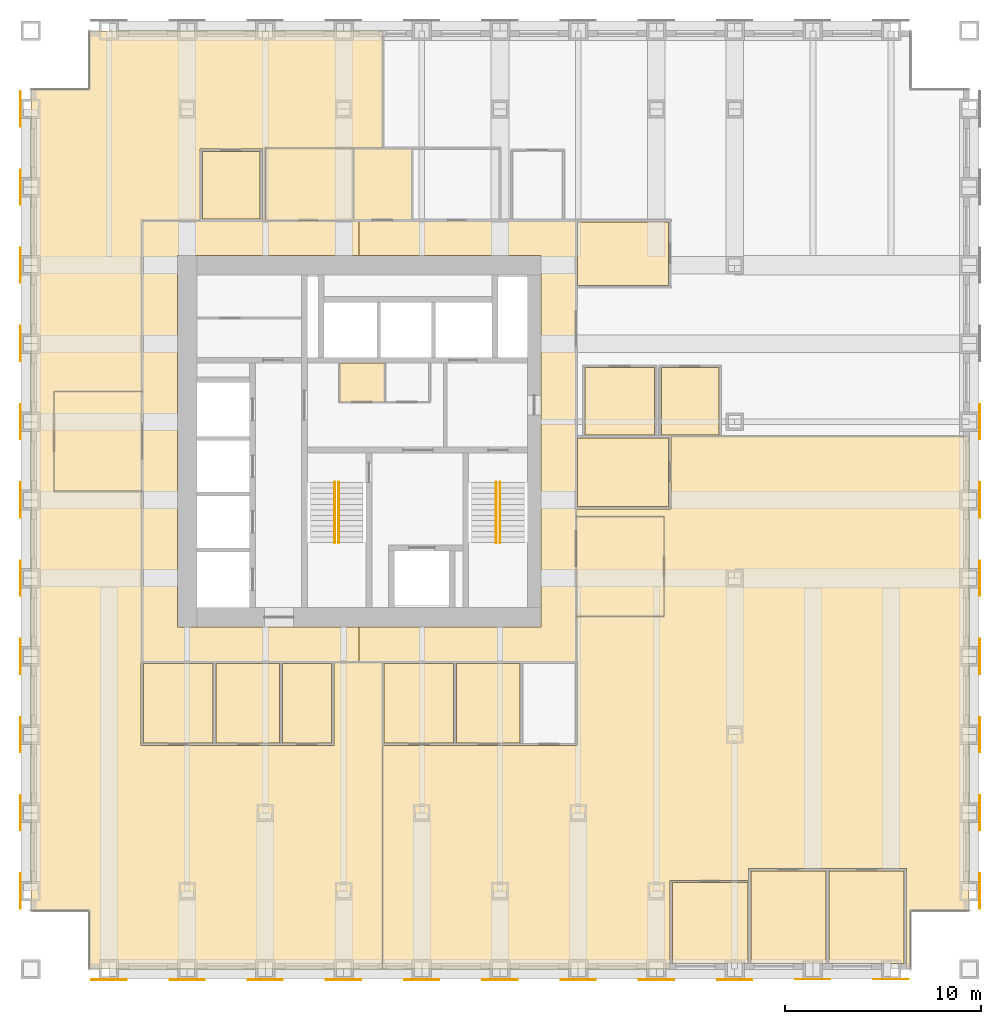
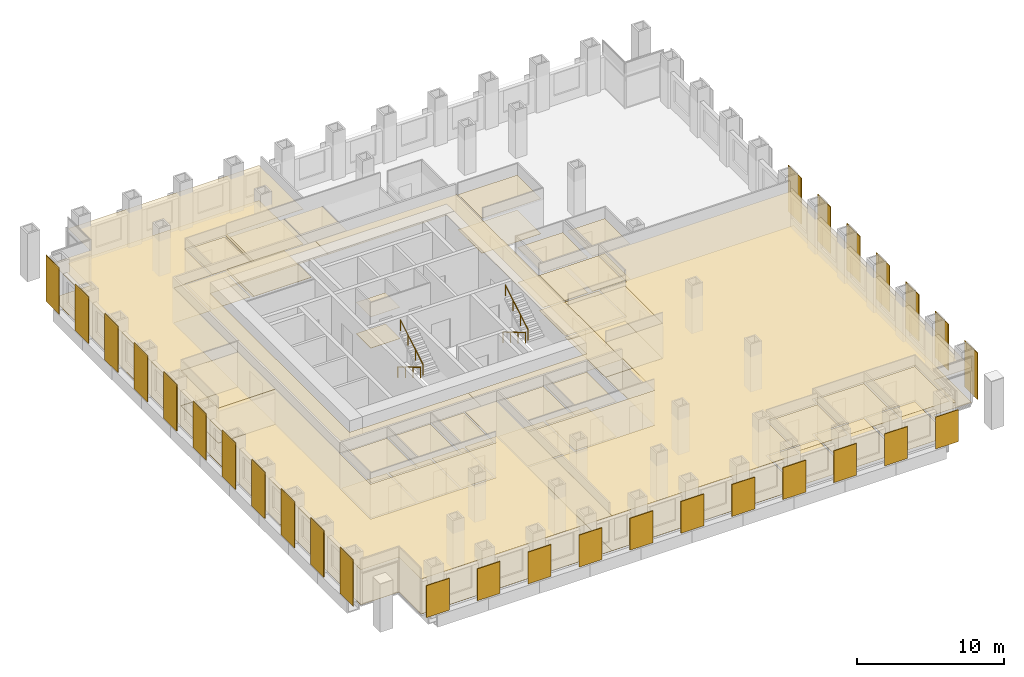
# One storey, part 16 of 17: 41 coverings, 29 shading devices, 4 railings.
"""IFC4 building model written with IfcOpenShell, lengths in metres."""

from ifc_helpers import new_model, si_unit, direction, frame, origin, origin_2d, place, context, subcontext, project, spatial, polyline, rectangle, circle, outline, extrude, material, layer, layer_set, type_object, element, save


model = new_model("IFC4")

# Units and contexts
model_context = context("Model", 3, precision=1e-05, world=origin(), true_north=direction((0.0, 1.0)))
body_context = subcontext(model_context, "Body", "Model", "MODEL_VIEW")
ifc_project = project(units=[si_unit("LENGTHUNIT", "METRE"), si_unit("AREAUNIT", "SQUARE_METRE"), si_unit("VOLUMEUNIT", "CUBIC_METRE"), si_unit("PLANEANGLEUNIT", "RADIAN"), si_unit("MASSUNIT", "GRAM", prefix="KILO")], contexts=[model_context])

# Site, building, storey
site_placement = place(None, origin())
site = spatial("IfcSite", under=ifc_project, at=site_placement, CompositionType="ELEMENT")
building_placement = place(site_placement, origin())
building = spatial("IfcBuilding", under=site, at=building_placement, Name="Rimbunsela Tower", CompositionType="ELEMENT")
storey_placement = place(building_placement, frame((0.0, 0.0, 101.39990234375)))
storey = spatial("IfcBuildingStorey", under=building, at=storey_placement, Name="L24", CompositionType="ELEMENT", Elevation=101.39990234375)

# Coverings
ifc_material_1 = material(Name="Nylon carpet tile", Category="textile")
ifc_layer_1 = layer(ifc_material_1, 0.010009765625)
ifc_layer_set_1 = layer_set([ifc_layer_1], Name="Carpet tile 10")
covering_type_1 = type_object("IfcCoveringType", Name="Carpet tile 10", PredefinedType="FLOORING", material=ifc_layer_set_1)
covering_1_placement = place(storey_placement, origin())
element("IfcCovering", 1, at=covering_1_placement, inside=storey, type_object=covering_type_1, Name="Floor finish Open office", PredefinedType="FLOORING", context=body_context, shape_type="SweptSolid", body=[
    extrude(outline(polyline([(19.449951171875, 11.449951171875), (22.75, 11.449951171875), (22.85009765625, 11.449951171875), (25.5, 11.449951171875), (25.5, 15.699951171875), (27.9990234375, 15.699951171875), (27.9990234375, 0.0), (15.699951171875, 0.0), (13.0, 0.0), (13.0, 3.0), (10.0, 3.0), (10.0, 45.0), (13.0, 45.0), (13.0, 48.0), (15.699951171875, 48.0), (27.9990234375, 48.0), (27.9990234375, 42.0), (22.0, 42.0), (22.0, 38.300048828125), (21.85009765625, 38.300048828125), (21.85009765625, 41.949951171875), (18.64990234375, 41.949951171875), (18.64990234375, 38.300048828125), (15.699951171875, 38.300048828125), (15.699951171875, 29.550048828125), (11.199951171875, 29.550048828125), (11.199951171875, 24.449951171875), (15.699951171875, 24.449951171875), (15.699951171875, 15.75), (15.64990234375, 15.75), (15.64990234375, 11.449951171875), (15.699951171875, 11.449951171875), (19.35009765625, 11.449951171875), (19.449951171875, 11.449951171875)])), origin(), (0.0, 0.0, 1.0), 0.010009765625),
])
covering_2_placement = place(storey_placement, origin())
element("IfcCovering", 2, at=covering_2_placement, inside=storey, type_object=covering_type_1, Name="Floor finish Open office", PredefinedType="FLOORING", context=body_context, shape_type="SweptSolid", body=[
    extrude(outline(polyline([(28.0009765625, 11.449951171875), (31.65087890625, 11.449951171875), (31.7509765625, 11.449951171875), (35.051025390625, 11.449951171875), (35.15087890625, 11.449951171875), (37.89990234375, 11.449951171875), (37.949951171875, 11.449951171875), (37.949951171875, 15.75), (37.89990234375, 15.75), (37.89990234375, 18.049072265625), (42.39990234375, 18.049072265625), (42.39990234375, 23.14892578125), (37.89990234375, 23.14892578125), (37.89990234375, 23.549072265625), (42.75, 23.549072265625), (42.75, 27.2490234375), (58.0, 27.2490234375), (58.0, 3.0), (55.0, 3.0), (55.0, 0.0), (54.800048828125, 0.0), (54.800048828125, 5.14990234375), (50.800048828125, 5.14990234375), (50.699951171875, 5.14990234375), (46.699951171875, 5.14990234375), (46.699951171875, 4.550048828125), (42.699951171875, 4.550048828125), (42.699951171875, 0.0), (37.89990234375, 0.0), (28.0009765625, 0.0), (28.0009765625, 11.449951171875)])), origin(), (0.0, 0.0, 1.0), 0.010009765625),
])
covering_3_placement = place(storey_placement, origin())
element("IfcCovering", 3, at=covering_3_placement, inside=storey, type_object=covering_type_1, Name="Floor finish Reception", PredefinedType="FLOORING", context=body_context, shape_type="SweptSolid", body=[
    extrude(outline(polyline([(15.699951171875, 24.449951171875), (15.699951171875, 29.550048828125), (11.199951171875, 29.550048828125), (11.199951171875, 24.449951171875), (15.699951171875, 24.449951171875)])), origin(), (0.0, 0.0, 1.0), 0.010009765625),
])
covering_4_placement = place(storey_placement, origin())
element("IfcCovering", 4, at=covering_4_placement, inside=storey, type_object=covering_type_1, Name="Floor finish Reception", PredefinedType="FLOORING", context=body_context, shape_type="SweptSolid", body=[
    extrude(outline(polyline([(42.39990234375, 18.049072265625), (42.39990234375, 23.14892578125), (37.89990234375, 23.14892578125), (37.89990234375, 18.049072265625), (42.39990234375, 18.049072265625)])), origin(), (0.0, 0.0, 1.0), 0.010009765625),
])
covering_5_placement = place(storey_placement, origin())
element("IfcCovering", 5, at=covering_5_placement, inside=storey, type_object=covering_type_1, Name="Floor finish Executive office", PredefinedType="FLOORING", context=body_context, shape_type="SweptSolid", body=[
    extrude(outline(polyline([(46.675048828125, 0.300048828125), (46.675048828125, 4.425048828125), (42.824951171875, 4.425048828125), (42.824951171875, 0.300048828125), (46.675048828125, 0.300048828125)])), origin(), (0.0, 0.0, 1.0), 0.010009765625),
])
covering_6_placement = place(storey_placement, origin())
element("IfcCovering", 6, at=covering_6_placement, inside=storey, type_object=covering_type_1, Name="Floor finish Meeting room", PredefinedType="FLOORING", context=body_context, shape_type="SweptSolid", body=[
    extrude(outline(polyline([(50.675048828125, 0.300048828125), (50.675048828125, 5.02490234375), (46.824951171875, 5.02490234375), (46.824951171875, 0.300048828125), (50.675048828125, 0.300048828125)])), origin(), (0.0, 0.0, 1.0), 0.010009765625),
])
covering_7_placement = place(storey_placement, origin())
element("IfcCovering", 7, at=covering_7_placement, inside=storey, type_object=covering_type_1, Name="Floor finish Meeting room", PredefinedType="FLOORING", context=body_context, shape_type="SweptSolid", body=[
    extrude(outline(polyline([(54.675048828125, 0.300048828125), (54.675048828125, 5.02490234375), (50.824951171875, 5.02490234375), (50.824951171875, 0.300048828125), (54.675048828125, 0.300048828125)])), origin(), (0.0, 0.0, 1.0), 0.010009765625),
])
covering_8_placement = place(storey_placement, origin())
element("IfcCovering", 8, at=covering_8_placement, inside=storey, type_object=covering_type_1, Name="Floor finish Meeting room", PredefinedType="FLOORING", context=body_context, shape_type="SweptSolid", body=[
    extrude(outline(polyline([(19.324951171875, 11.574951171875), (19.324951171875, 15.625), (15.77490234375, 15.625), (15.77490234375, 11.574951171875), (19.324951171875, 11.574951171875)])), origin(), (0.0, 0.0, 1.0), 0.010009765625),
])
covering_9_placement = place(storey_placement, origin())
element("IfcCovering", 9, at=covering_9_placement, inside=storey, type_object=covering_type_1, Name="Floor finish Pantry", PredefinedType="FLOORING", context=body_context, shape_type="SweptSolid", body=[
    extrude(outline(polyline([(22.72509765625, 11.574951171875), (22.72509765625, 15.625), (19.47509765625, 15.625), (19.47509765625, 11.574951171875), (22.72509765625, 11.574951171875)])), origin(), (0.0, 0.0, 1.0), 0.010009765625),
])
covering_10_placement = place(storey_placement, origin())
element("IfcCovering", 10, at=covering_10_placement, inside=storey, type_object=covering_type_1, Name="Floor finish Print and copy room", PredefinedType="FLOORING", context=body_context, shape_type="SweptSolid", body=[
    extrude(outline(polyline([(25.375, 11.574951171875), (25.375, 15.625), (22.875, 15.625), (22.875, 11.574951171875), (25.375, 11.574951171875)])), origin(), (0.0, 0.0, 1.0), 0.010009765625),
])
covering_11_placement = place(storey_placement, origin())
element("IfcCovering", 11, at=covering_11_placement, inside=storey, type_object=covering_type_1, Name="Floor finish Meeting room", PredefinedType="FLOORING", context=body_context, shape_type="SweptSolid", body=[
    extrude(outline(polyline([(31.6259765625, 11.574951171875), (31.6259765625, 15.625), (28.075927734375, 15.625), (28.075927734375, 11.574951171875), (31.6259765625, 11.574951171875)])), origin(), (0.0, 0.0, 1.0), 0.010009765625),
])
covering_12_placement = place(storey_placement, origin())
element("IfcCovering", 12, at=covering_12_placement, inside=storey, type_object=covering_type_1, Name="Floor finish Pantry", PredefinedType="FLOORING", context=body_context, shape_type="SweptSolid", body=[
    extrude(outline(polyline([(35.02587890625, 11.574951171875), (35.02587890625, 15.625), (31.77587890625, 15.625), (31.77587890625, 11.574951171875), (35.02587890625, 11.574951171875)])), origin(), (0.0, 0.0, 1.0), 0.010009765625),
])
covering_13_placement = place(storey_placement, origin())
element("IfcCovering", 13, at=covering_13_placement, inside=storey, type_object=covering_type_1, Name="Floor finish Office", PredefinedType="FLOORING", context=body_context, shape_type="SweptSolid", body=[
    extrude(outline(polyline([(42.625, 23.674072265625), (42.625, 27.174072265625), (37.97509765625, 27.174072265625), (37.97509765625, 23.674072265625), (42.625, 23.674072265625)])), origin(), (0.0, 0.0, 1.0), 0.010009765625),
])
covering_14_placement = place(storey_placement, origin())
element("IfcCovering", 14, at=covering_14_placement, inside=storey, type_object=covering_type_1, Name="Floor finish Office", PredefinedType="FLOORING", context=body_context, shape_type="SweptSolid", body=[
    extrude(outline(polyline([(21.72509765625, 38.375), (21.72509765625, 41.824951171875), (18.77490234375, 41.824951171875), (18.77490234375, 38.375), (21.72509765625, 38.375)])), origin(), (0.0, 0.0, 1.0), 0.010009765625),
])
covering_15_placement = place(storey_placement, origin())
element("IfcCovering", 15, at=covering_15_placement, inside=storey, type_object=covering_type_1, Name="Floor finish Meeting room", PredefinedType="FLOORING", context=body_context, shape_type="SweptSolid", body=[
    extrude(outline(polyline([(41.89990234375, 27.324951171875), (41.89990234375, 30.77490234375), (38.35009765625, 30.77490234375), (38.35009765625, 27.324951171875), (41.89990234375, 27.324951171875)])), origin(), (0.0, 0.0, 1.0), 0.010009765625),
])
covering_16_placement = place(storey_placement, origin())
element("IfcCovering", 16, at=covering_16_placement, inside=storey, type_object=covering_type_1, Name="Floor finish Pantry", PredefinedType="FLOORING", context=body_context, shape_type="SweptSolid", body=[
    extrude(outline(polyline([(42.625, 34.97509765625), (42.625, 38.22509765625), (37.97509765625, 38.22509765625), (37.97509765625, 34.97509765625), (42.625, 34.97509765625)])), origin(), (0.0, 0.0, 1.0), 0.010009765625),
])
covering_17_placement = place(storey_placement, origin())
element("IfcCovering", 17, at=covering_17_placement, inside=storey, type_object=covering_type_1, Name="Floor finish Office", PredefinedType="FLOORING", context=body_context, shape_type="SweptSolid", body=[
    extrude(outline(polyline([(45.199951171875, 27.324951171875), (45.199951171875, 30.77490234375), (42.25, 30.77490234375), (42.25, 27.324951171875), (45.199951171875, 27.324951171875)])), origin(), (0.0, 0.0, 1.0), 0.010009765625),
])
ifc_material_2 = material(Name="Mineral fibre ceiling tile", Category="gypsum")
ifc_layer_2 = layer(ifc_material_2, 0.02001953125)
ifc_layer_set_2 = layer_set([ifc_layer_2], Name="Ceiling 600 grid")
covering_type_2 = type_object("IfcCoveringType", Name="Ceiling 600 grid", PredefinedType="CEILING", material=ifc_layer_set_2)
covering_18_placement = place(storey_placement, frame((0.0, 0.0, 2.900146484375)))
element("IfcCovering", 18, at=covering_18_placement, inside=storey, type_object=covering_type_2, Name="Ceiling Ring corridor", PredefinedType="CEILING", context=body_context, shape_type="SweptSolid", body=[
    extrude(outline(polyline([(15.699951171875, 38.300048828125), (26.800048828125, 38.300048828125), (26.800048828125, 36.5), (17.5, 36.5), (17.5, 17.5), (26.800048828125, 17.5), (26.800048828125, 15.699951171875), (15.699951171875, 15.699951171875), (15.699951171875, 38.300048828125)])), origin(), (0.0, 0.0, 1.0), 0.02001953125),
])
covering_19_placement = place(storey_placement, frame((0.0, 0.0, 2.900146484375)))
element("IfcCovering", 19, at=covering_19_placement, inside=storey, type_object=covering_type_2, Name="Ceiling Ring corridor", PredefinedType="CEILING", context=body_context, shape_type="SweptSolid", body=[
    extrude(outline(polyline([(37.89990234375, 38.300048828125), (37.89990234375, 15.699951171875), (26.800048828125, 15.699951171875), (26.800048828125, 17.5), (36.10009765625, 17.5), (36.10009765625, 36.5), (26.800048828125, 36.5), (26.800048828125, 38.300048828125), (37.89990234375, 38.300048828125)])), origin(), (0.0, 0.0, 1.0), 0.02001953125),
])
covering_20_placement = place(storey_placement, frame((0.0, 0.0, 2.900146484375)))
element("IfcCovering", 20, at=covering_20_placement, inside=storey, type_object=covering_type_2, Name="Ceiling Open office", PredefinedType="CEILING", context=body_context, shape_type="SweptSolid", body=[
    extrude(outline(polyline([(19.449951171875, 11.449951171875), (22.75, 11.449951171875), (22.85009765625, 11.449951171875), (25.5, 11.449951171875), (25.5, 15.699951171875), (27.9990234375, 15.699951171875), (27.9990234375, 0.0), (15.699951171875, 0.0), (13.0, 0.0), (13.0, 3.0), (10.0, 3.0), (10.0, 45.0), (13.0, 45.0), (13.0, 48.0), (15.699951171875, 48.0), (27.9990234375, 48.0), (27.9990234375, 42.0), (22.0, 42.0), (22.0, 38.300048828125), (21.85009765625, 38.300048828125), (21.85009765625, 41.949951171875), (18.64990234375, 41.949951171875), (18.64990234375, 38.300048828125), (15.699951171875, 38.300048828125), (15.699951171875, 29.550048828125), (11.199951171875, 29.550048828125), (11.199951171875, 24.449951171875), (15.699951171875, 24.449951171875), (15.699951171875, 15.75), (15.64990234375, 15.75), (15.64990234375, 11.449951171875), (15.699951171875, 11.449951171875), (19.35009765625, 11.449951171875), (19.449951171875, 11.449951171875)])), origin(), (0.0, 0.0, 1.0), 0.02001953125),
])
covering_21_placement = place(storey_placement, frame((0.0, 0.0, 2.900146484375)))
element("IfcCovering", 21, at=covering_21_placement, inside=storey, type_object=covering_type_2, Name="Ceiling Open office", PredefinedType="CEILING", context=body_context, shape_type="SweptSolid", body=[
    extrude(outline(polyline([(28.0009765625, 11.449951171875), (31.65087890625, 11.449951171875), (31.7509765625, 11.449951171875), (35.051025390625, 11.449951171875), (35.15087890625, 11.449951171875), (37.89990234375, 11.449951171875), (37.949951171875, 11.449951171875), (37.949951171875, 15.75), (37.89990234375, 15.75), (37.89990234375, 18.049072265625), (42.39990234375, 18.049072265625), (42.39990234375, 23.14892578125), (37.89990234375, 23.14892578125), (37.89990234375, 23.549072265625), (42.75, 23.549072265625), (42.75, 27.2490234375), (58.0, 27.2490234375), (58.0, 3.0), (55.0, 3.0), (55.0, 0.0), (54.800048828125, 0.0), (54.800048828125, 5.14990234375), (50.800048828125, 5.14990234375), (50.699951171875, 5.14990234375), (46.699951171875, 5.14990234375), (46.699951171875, 4.550048828125), (42.699951171875, 4.550048828125), (42.699951171875, 0.0), (37.89990234375, 0.0), (28.0009765625, 0.0), (28.0009765625, 11.449951171875)])), origin(), (0.0, 0.0, 1.0), 0.02001953125),
])
covering_22_placement = place(storey_placement, frame((0.0, 0.0, 2.900146484375)))
element("IfcCovering", 22, at=covering_22_placement, inside=storey, type_object=covering_type_2, Name="Ceiling Reception", PredefinedType="CEILING", context=body_context, shape_type="SweptSolid", body=[
    extrude(outline(polyline([(15.699951171875, 24.449951171875), (15.699951171875, 29.550048828125), (11.199951171875, 29.550048828125), (11.199951171875, 24.449951171875), (15.699951171875, 24.449951171875)])), origin(), (0.0, 0.0, 1.0), 0.02001953125),
])
covering_23_placement = place(storey_placement, frame((0.0, 0.0, 2.900146484375)))
element("IfcCovering", 23, at=covering_23_placement, inside=storey, type_object=covering_type_2, Name="Ceiling Reception", PredefinedType="CEILING", context=body_context, shape_type="SweptSolid", body=[
    extrude(outline(polyline([(42.39990234375, 18.049072265625), (42.39990234375, 23.14892578125), (37.89990234375, 23.14892578125), (37.89990234375, 18.049072265625), (42.39990234375, 18.049072265625)])), origin(), (0.0, 0.0, 1.0), 0.02001953125),
])
covering_24_placement = place(storey_placement, frame((0.0, 0.0, 2.900146484375)))
element("IfcCovering", 24, at=covering_24_placement, inside=storey, type_object=covering_type_2, Name="Ceiling Executive office", PredefinedType="CEILING", context=body_context, shape_type="SweptSolid", body=[
    extrude(outline(polyline([(46.675048828125, 0.300048828125), (46.675048828125, 4.425048828125), (42.824951171875, 4.425048828125), (42.824951171875, 0.300048828125), (46.675048828125, 0.300048828125)])), origin(), (0.0, 0.0, 1.0), 0.02001953125),
])
covering_25_placement = place(storey_placement, frame((0.0, 0.0, 2.900146484375)))
element("IfcCovering", 25, at=covering_25_placement, inside=storey, type_object=covering_type_2, Name="Ceiling Meeting room", PredefinedType="CEILING", context=body_context, shape_type="SweptSolid", body=[
    extrude(outline(polyline([(50.675048828125, 0.300048828125), (50.675048828125, 5.02490234375), (46.824951171875, 5.02490234375), (46.824951171875, 0.300048828125), (50.675048828125, 0.300048828125)])), origin(), (0.0, 0.0, 1.0), 0.02001953125),
])
covering_26_placement = place(storey_placement, frame((0.0, 0.0, 2.900146484375)))
element("IfcCovering", 26, at=covering_26_placement, inside=storey, type_object=covering_type_2, Name="Ceiling Meeting room", PredefinedType="CEILING", context=body_context, shape_type="SweptSolid", body=[
    extrude(outline(polyline([(54.675048828125, 0.300048828125), (54.675048828125, 5.02490234375), (50.824951171875, 5.02490234375), (50.824951171875, 0.300048828125), (54.675048828125, 0.300048828125)])), origin(), (0.0, 0.0, 1.0), 0.02001953125),
])
covering_27_placement = place(storey_placement, frame((0.0, 0.0, 2.900146484375)))
element("IfcCovering", 27, at=covering_27_placement, inside=storey, type_object=covering_type_2, Name="Ceiling Meeting room", PredefinedType="CEILING", context=body_context, shape_type="SweptSolid", body=[
    extrude(outline(polyline([(19.324951171875, 11.574951171875), (19.324951171875, 15.625), (15.77490234375, 15.625), (15.77490234375, 11.574951171875), (19.324951171875, 11.574951171875)])), origin(), (0.0, 0.0, 1.0), 0.02001953125),
])
covering_28_placement = place(storey_placement, frame((0.0, 0.0, 2.900146484375)))
element("IfcCovering", 28, at=covering_28_placement, inside=storey, type_object=covering_type_2, Name="Ceiling Pantry", PredefinedType="CEILING", context=body_context, shape_type="SweptSolid", body=[
    extrude(outline(polyline([(22.72509765625, 11.574951171875), (22.72509765625, 15.625), (19.47509765625, 15.625), (19.47509765625, 11.574951171875), (22.72509765625, 11.574951171875)])), origin(), (0.0, 0.0, 1.0), 0.02001953125),
])
covering_29_placement = place(storey_placement, frame((0.0, 0.0, 2.900146484375)))
element("IfcCovering", 29, at=covering_29_placement, inside=storey, type_object=covering_type_2, Name="Ceiling Print and copy room", PredefinedType="CEILING", context=body_context, shape_type="SweptSolid", body=[
    extrude(outline(polyline([(25.375, 11.574951171875), (25.375, 15.625), (22.875, 15.625), (22.875, 11.574951171875), (25.375, 11.574951171875)])), origin(), (0.0, 0.0, 1.0), 0.02001953125),
])
covering_30_placement = place(storey_placement, frame((0.0, 0.0, 2.900146484375)))
element("IfcCovering", 30, at=covering_30_placement, inside=storey, type_object=covering_type_2, Name="Ceiling Meeting room", PredefinedType="CEILING", context=body_context, shape_type="SweptSolid", body=[
    extrude(outline(polyline([(31.6259765625, 11.574951171875), (31.6259765625, 15.625), (28.075927734375, 15.625), (28.075927734375, 11.574951171875), (31.6259765625, 11.574951171875)])), origin(), (0.0, 0.0, 1.0), 0.02001953125),
])
covering_31_placement = place(storey_placement, frame((0.0, 0.0, 2.900146484375)))
element("IfcCovering", 31, at=covering_31_placement, inside=storey, type_object=covering_type_2, Name="Ceiling Pantry", PredefinedType="CEILING", context=body_context, shape_type="SweptSolid", body=[
    extrude(outline(polyline([(35.02587890625, 11.574951171875), (35.02587890625, 15.625), (31.77587890625, 15.625), (31.77587890625, 11.574951171875), (35.02587890625, 11.574951171875)])), origin(), (0.0, 0.0, 1.0), 0.02001953125),
])
covering_32_placement = place(storey_placement, frame((0.0, 0.0, 2.900146484375)))
element("IfcCovering", 32, at=covering_32_placement, inside=storey, type_object=covering_type_2, Name="Ceiling Office", PredefinedType="CEILING", context=body_context, shape_type="SweptSolid", body=[
    extrude(outline(polyline([(42.625, 23.674072265625), (42.625, 27.174072265625), (37.97509765625, 27.174072265625), (37.97509765625, 23.674072265625), (42.625, 23.674072265625)])), origin(), (0.0, 0.0, 1.0), 0.02001953125),
])
covering_33_placement = place(storey_placement, frame((0.0, 0.0, 2.900146484375)))
element("IfcCovering", 33, at=covering_33_placement, inside=storey, type_object=covering_type_2, Name="Ceiling Office", PredefinedType="CEILING", context=body_context, shape_type="SweptSolid", body=[
    extrude(outline(polyline([(21.72509765625, 38.375), (21.72509765625, 41.824951171875), (18.77490234375, 41.824951171875), (18.77490234375, 38.375), (21.72509765625, 38.375)])), origin(), (0.0, 0.0, 1.0), 0.02001953125),
])
covering_34_placement = place(storey_placement, frame((0.0, 0.0, 2.900146484375)))
element("IfcCovering", 34, at=covering_34_placement, inside=storey, type_object=covering_type_2, Name="Ceiling Meeting room", PredefinedType="CEILING", context=body_context, shape_type="SweptSolid", body=[
    extrude(outline(polyline([(41.89990234375, 27.324951171875), (41.89990234375, 30.77490234375), (38.35009765625, 30.77490234375), (38.35009765625, 27.324951171875), (41.89990234375, 27.324951171875)])), origin(), (0.0, 0.0, 1.0), 0.02001953125),
])
covering_35_placement = place(storey_placement, frame((0.0, 0.0, 2.900146484375)))
element("IfcCovering", 35, at=covering_35_placement, inside=storey, type_object=covering_type_2, Name="Ceiling Pantry", PredefinedType="CEILING", context=body_context, shape_type="SweptSolid", body=[
    extrude(outline(polyline([(42.625, 34.97509765625), (42.625, 38.22509765625), (37.97509765625, 38.22509765625), (37.97509765625, 34.97509765625), (42.625, 34.97509765625)])), origin(), (0.0, 0.0, 1.0), 0.02001953125),
])
covering_36_placement = place(storey_placement, frame((0.0, 0.0, 2.900146484375)))
element("IfcCovering", 36, at=covering_36_placement, inside=storey, type_object=covering_type_2, Name="Ceiling Office", PredefinedType="CEILING", context=body_context, shape_type="SweptSolid", body=[
    extrude(outline(polyline([(45.199951171875, 27.324951171875), (45.199951171875, 30.77490234375), (42.25, 30.77490234375), (42.25, 27.324951171875), (45.199951171875, 27.324951171875)])), origin(), (0.0, 0.0, 1.0), 0.02001953125),
])
ifc_material_3 = material(Name="Moisture-resistant plasterboard ceiling", Category="gypsum")
ifc_layer_3 = layer(ifc_material_3, 0.012451171875)
ifc_layer_set_3 = layer_set([ifc_layer_3], Name="Ceiling moisture-resistant board")
covering_type_3 = type_object("IfcCoveringType", Name="Ceiling moisture-resistant board", PredefinedType="CEILING", material=ifc_layer_set_3)
covering_37_placement = place(storey_placement, frame((0.0, 0.0, 2.60009765625)))
element("IfcCovering", 37, at=covering_37_placement, inside=storey, type_object=covering_type_3, Name="Ceiling Staff WC", PredefinedType="CEILING", context=body_context, shape_type="SweptSolid", body=[
    extrude(outline(polyline([(28.10009765625, 29.0), (28.10009765625, 31.0), (25.800048828125, 31.0), (25.800048828125, 29.0), (28.10009765625, 29.0)])), origin(), (0.0, 0.0, 1.0), 0.02001953125),
])
covering_38_placement = place(storey_placement, frame((0.0, 0.0, 2.60009765625)))
element("IfcCovering", 38, at=covering_38_placement, inside=storey, type_object=covering_type_3, Name="Ceiling Female WC", PredefinedType="CEILING", context=body_context, shape_type="SweptSolid", body=[
    extrude(outline(polyline([(26.5, 38.300048828125), (26.5, 42.0), (22.0, 42.0), (22.0, 38.300048828125), (26.5, 38.300048828125)])), origin(), (0.0, 0.0, 1.0), 0.02001953125),
])
covering_39_placement = place(storey_placement, frame((0.0, 0.0, 2.60009765625)))
element("IfcCovering", 39, at=covering_39_placement, inside=storey, type_object=covering_type_3, Name="Ceiling Accessible WC", PredefinedType="CEILING", context=body_context, shape_type="SweptSolid", body=[
    extrude(outline(polyline([(29.5, 38.300048828125), (29.5, 42.0), (26.5, 42.0), (26.5, 38.300048828125), (29.5, 38.300048828125)])), origin(), (0.0, 0.0, 1.0), 0.02001953125),
])
ifc_material_4 = material(Name="Porcelain floor tile in adhesive bed", Category="ceramic")
ifc_layer_4 = layer(ifc_material_4, 0.02001953125)
ifc_layer_set_4 = layer_set([ifc_layer_4], Name="Porcelain tile 20")
covering_type_4 = type_object("IfcCoveringType", Name="Porcelain tile 20", PredefinedType="FLOORING", material=ifc_layer_set_4)
covering_40_placement = place(storey_placement, origin())
element("IfcCovering", 40, at=covering_40_placement, inside=storey, type_object=covering_type_4, Name="Floor finish Staff WC", PredefinedType="FLOORING", context=body_context, shape_type="SweptSolid", body=[
    extrude(outline(polyline([(28.10009765625, 29.0), (28.10009765625, 31.0), (25.800048828125, 31.0), (25.800048828125, 29.0), (28.10009765625, 29.0)])), origin(), (0.0, 0.0, 1.0), 0.02001953125),
])
covering_41_placement = place(storey_placement, origin())
element("IfcCovering", 41, at=covering_41_placement, inside=storey, type_object=covering_type_4, Name="Floor finish Female WC", PredefinedType="FLOORING", context=body_context, shape_type="SweptSolid", body=[
    extrude(outline(polyline([(26.5, 38.300048828125), (26.5, 42.0), (22.0, 42.0), (22.0, 38.300048828125), (26.5, 38.300048828125)])), origin(), (0.0, 0.0, 1.0), 0.02001953125),
])

# Shading devices
ifc_material_5 = material(Name="Perforated aluminium, 35 % open area", Category="aluminium")
ifc_layer_5 = layer(ifc_material_5, 0.050048828125)
ifc_layer_set_5 = layer_set([ifc_layer_5], Name="Solar screen panel 1800")
shading_device_type = type_object("IfcShadingDeviceType", Name="Solar screen panel 1800", PredefinedType="USERDEFINED", material=ifc_layer_set_5)
for number, where, z_axis, x_axis, name in (
    (42, (14.0, -0.52490234375, 0.000244140625), (0.0, 0.0, 1.0), (1.0, 0.0, 0.0), "Solar screen S L24"),
    (43, (18.0, -0.52490234375, 0.000244140625), (0.0, 0.0, 1.0), (1.0, 0.0, 0.0), "Solar screen S L24"),
    (44, (22.0, -0.52490234375, 0.000244140625), (0.0, 0.0, 1.0), (1.0, 0.0, 0.0), "Solar screen S L24"),
    (45, (26.0, -0.52490234375, 0.000244140625), (0.0, 0.0, 1.0), (1.0, 0.0, 0.0), "Solar screen S L24"),
    (46, (30.0, -0.52490234375, 0.000244140625), (0.0, 0.0, 1.0), (1.0, 0.0, 0.0), "Solar screen S L24"),
    (47, (34.0, -0.52490234375, 0.000244140625), (0.0, 0.0, 1.0), (1.0, 0.0, 0.0), "Solar screen S L24"),
    (48, (38.0, -0.52490234375, 0.000244140625), (0.0, 0.0, 1.0), (1.0, 0.0, 0.0), "Solar screen S L24"),
    (49, (42.0, -0.52490234375, 0.000244140625), (0.0, 0.0, 1.0), (1.0, 0.0, 0.0), "Solar screen S L24"),
    (50, (46.0, -0.52490234375, 0.000244140625), (0.0, 0.0, 1.0), (1.0, 0.0, 0.0), "Solar screen S L24"),
    (51, (50.0, -0.52490234375, 0.000244140625), (0.0, 0.0, 1.0), (1.0, 0.0, 0.0), "Solar screen S L24"),
    (52, (54.0, -0.52490234375, 0.000244140625), (0.0, 0.0, 1.0), (1.0, 0.0, 0.0), "Solar screen S L24"),
):
    element("IfcShadingDevice", number, at=place(storey_placement, frame(where, z_axis=z_axis, x_axis=x_axis)), inside=storey, type_object=shading_device_type, Name=name, ObjectType="SCREEN", PredefinedType="USERDEFINED", context=body_context, shape_type="SweptSolid", body=[
        extrude(rectangle(XDim=1.800048828125, YDim=0.050048828125, at=origin_2d()), origin(), (0.0, 0.0, 1.0), 2.64990234375),
    ])
for number, where, z_axis, x_axis, name in (
    (53, (58.52490234375, 4.0, 0.0), (0.0, 0.0, 1.0), (0.0, 1.0, 0.0), "Solar screen E L24"),
    (54, (58.52490234375, 8.0, 0.0), (0.0, 0.0, 1.0), (0.0, 1.0, 0.0), "Solar screen E L24"),
    (55, (58.52490234375, 12.0, 0.0), (0.0, 0.0, 1.0), (0.0, 1.0, 0.0), "Solar screen E L24"),
    (56, (58.52490234375, 16.0, 0.0), (0.0, 0.0, 1.0), (0.0, 1.0, 0.0), "Solar screen E L24"),
    (57, (58.52490234375, 20.0, 0.0), (0.0, 0.0, 1.0), (0.0, 1.0, 0.0), "Solar screen E L24"),
    (58, (58.52490234375, 24.0, 0.0), (0.0, 0.0, 1.0), (0.0, 1.0, 0.0), "Solar screen E L24"),
    (59, (58.52490234375, 28.0, 0.0), (0.0, 0.0, 1.0), (0.0, 1.0, 0.0), "Solar screen E L24"),
    (60, (9.47509765625, 4.0, 0.0), (0.0, 0.0, 1.0), (0.0, 1.0, 0.0), "Solar screen W L24"),
    (61, (9.47509765625, 8.0, 0.0), (0.0, 0.0, 1.0), (0.0, 1.0, 0.0), "Solar screen W L24"),
    (62, (9.47509765625, 12.0, 0.0), (0.0, 0.0, 1.0), (0.0, 1.0, 0.0), "Solar screen W L24"),
    (63, (9.47509765625, 16.0, 0.0), (0.0, 0.0, 1.0), (0.0, 1.0, 0.0), "Solar screen W L24"),
    (64, (9.47509765625, 20.0, 0.0), (0.0, 0.0, 1.0), (0.0, 1.0, 0.0), "Solar screen W L24"),
    (65, (9.47509765625, 24.0, 0.0), (0.0, 0.0, 1.0), (0.0, 1.0, 0.0), "Solar screen W L24"),
    (66, (9.47509765625, 28.0, 0.0), (0.0, 0.0, 1.0), (0.0, 1.0, 0.0), "Solar screen W L24"),
    (67, (9.47509765625, 32.0, 0.0), (0.0, 0.0, 1.0), (0.0, 1.0, 0.0), "Solar screen W L24"),
    (68, (9.47509765625, 36.0, 0.0), (0.0, 0.0, 1.0), (0.0, 1.0, 0.0), "Solar screen W L24"),
    (69, (9.47509765625, 40.0, 0.0), (0.0, 0.0, 1.0), (0.0, 1.0, 0.0), "Solar screen W L24"),
    (70, (9.47509765625, 44.0, 0.0), (0.0, 0.0, 1.0), (0.0, 1.0, 0.0), "Solar screen W L24"),
):
    element("IfcShadingDevice", number, at=place(storey_placement, frame(where, z_axis=z_axis, x_axis=x_axis)), inside=storey, type_object=shading_device_type, Name=name, ObjectType="SCREEN", PredefinedType="USERDEFINED", context=body_context, shape_type="SweptSolid", body=[
        extrude(rectangle(XDim=1.800048828125, YDim=0.050048828125, at=origin_2d()), origin(), (0.0, 0.0, 1.0), 3.85009765625),
    ])

# Railings
ifc_material_6 = material(Name="Stainless steel tube", Category="steel")
railing_type = type_object("IfcRailingType", Name="Stair handrail 900", PredefinedType="HANDRAIL", material=ifc_material_6)
railing_1_placement = place(storey_placement, frame((25.550048828125, 24.89990234375, 0.166748046875)))
element("IfcRailing", 71, at=railing_1_placement, inside=storey, type_object=railing_type, Name="Handrail ST-A flight 1", PredefinedType="HANDRAIL", context=body_context, shape_type="SweptSolid", body=[
    extrude(circle(Radius=0.02392578125, at=origin_2d()), frame((0.0, 0.0, 0.8759765625), z_axis=(0.0, -0.859290745958, 0.51148745235), x_axis=(1.0, 0.0, 0.0)), (0.0, 0.0, 1.0), 3.584228515625),
    extrude(circle(Radius=0.02099609375, at=origin_2d()), origin(), (0.0, 0.0, 1.0), 0.851806640625),
    extrude(circle(Radius=0.02099609375, at=origin_2d()), frame((0.0, -1.026611328125, 0.611083984375)), (0.0, 0.0, 1.0), 0.851806640625),
    extrude(circle(Radius=0.02099609375, at=origin_2d()), frame((0.0, -2.05322265625, 1.22216796875)), (0.0, 0.0, 1.0), 0.851806640625),
    extrude(circle(Radius=0.02099609375, at=origin_2d()), frame((0.0, -3.079833984375, 1.833251953125)), (0.0, 0.0, 1.0), 0.851806640625),
])
railing_2_placement = place(storey_placement, frame((25.75, 21.820068359375, 2.166748046875)))
element("IfcRailing", 72, at=railing_2_placement, inside=storey, type_object=railing_type, Name="Handrail ST-A flight 2", PredefinedType="HANDRAIL", context=body_context, shape_type="SweptSolid", body=[
    extrude(circle(Radius=0.02392578125, at=origin_2d()), frame((0.0, 0.0, 0.8759765625), z_axis=(0.0, 0.859290745958, 0.51148745235), x_axis=(-1.0, 0.0, 0.0)), (0.0, 0.0, 1.0), 3.584228515625),
    extrude(circle(Radius=0.02099609375, at=origin_2d()), origin(), (0.0, 0.0, 1.0), 0.851806640625),
    extrude(circle(Radius=0.02099609375, at=origin_2d()), frame((0.0, 1.026611328125, 0.611083984375)), (0.0, 0.0, 1.0), 0.851806640625),
    extrude(circle(Radius=0.02099609375, at=origin_2d()), frame((0.0, 2.05322265625, 1.22216796875)), (0.0, 0.0, 1.0), 0.851806640625),
    extrude(circle(Radius=0.02099609375, at=origin_2d()), frame((0.0, 3.079833984375, 1.833251953125)), (0.0, 0.0, 1.0), 0.851806640625),
])
railing_3_placement = place(storey_placement, frame((33.800048828125, 24.89990234375, 0.166748046875)))
element("IfcRailing", 73, at=railing_3_placement, inside=storey, type_object=railing_type, Name="Handrail ST-B flight 1", PredefinedType="HANDRAIL", context=body_context, shape_type="SweptSolid", body=[
    extrude(circle(Radius=0.02392578125, at=origin_2d()), frame((0.0, 0.0, 0.8759765625), z_axis=(0.0, -0.859290745958, 0.51148745235), x_axis=(1.0, 0.0, 0.0)), (0.0, 0.0, 1.0), 3.584228515625),
    extrude(circle(Radius=0.02099609375, at=origin_2d()), origin(), (0.0, 0.0, 1.0), 0.851806640625),
    extrude(circle(Radius=0.02099609375, at=origin_2d()), frame((0.0, -1.026611328125, 0.611083984375)), (0.0, 0.0, 1.0), 0.851806640625),
    extrude(circle(Radius=0.02099609375, at=origin_2d()), frame((0.0, -2.05322265625, 1.22216796875)), (0.0, 0.0, 1.0), 0.851806640625),
    extrude(circle(Radius=0.02099609375, at=origin_2d()), frame((0.0, -3.079833984375, 1.833251953125)), (0.0, 0.0, 1.0), 0.851806640625),
])
railing_4_placement = place(storey_placement, frame((34.0, 21.820068359375, 2.166748046875)))
element("IfcRailing", 74, at=railing_4_placement, inside=storey, type_object=railing_type, Name="Handrail ST-B flight 2", PredefinedType="HANDRAIL", context=body_context, shape_type="SweptSolid", body=[
    extrude(circle(Radius=0.02392578125, at=origin_2d()), frame((0.0, 0.0, 0.8759765625), z_axis=(0.0, 0.859290745958, 0.51148745235), x_axis=(-1.0, 0.0, 0.0)), (0.0, 0.0, 1.0), 3.584228515625),
    extrude(circle(Radius=0.02099609375, at=origin_2d()), origin(), (0.0, 0.0, 1.0), 0.851806640625),
    extrude(circle(Radius=0.02099609375, at=origin_2d()), frame((0.0, 1.026611328125, 0.611083984375)), (0.0, 0.0, 1.0), 0.851806640625),
    extrude(circle(Radius=0.02099609375, at=origin_2d()), frame((0.0, 2.05322265625, 1.22216796875)), (0.0, 0.0, 1.0), 0.851806640625),
    extrude(circle(Radius=0.02099609375, at=origin_2d()), frame((0.0, 3.079833984375, 1.833251953125)), (0.0, 0.0, 1.0), 0.851806640625),
])

save(model, "model.ifc")
